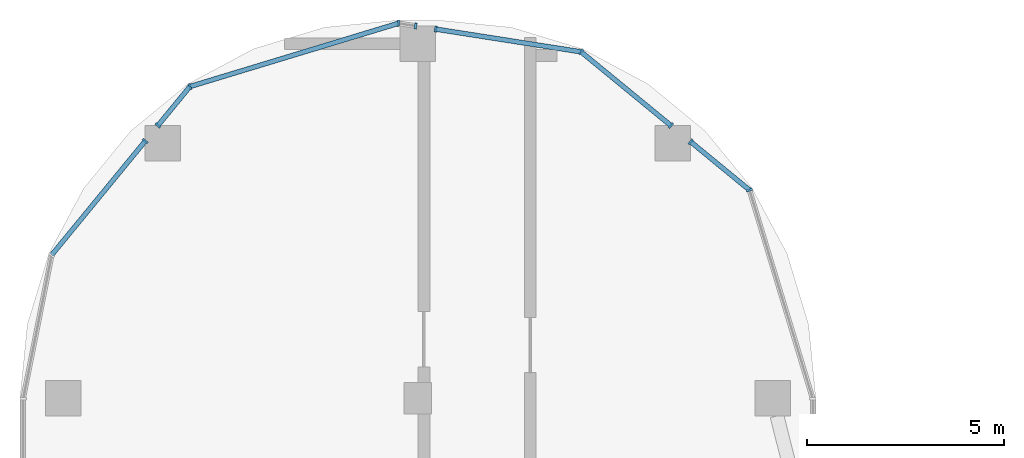
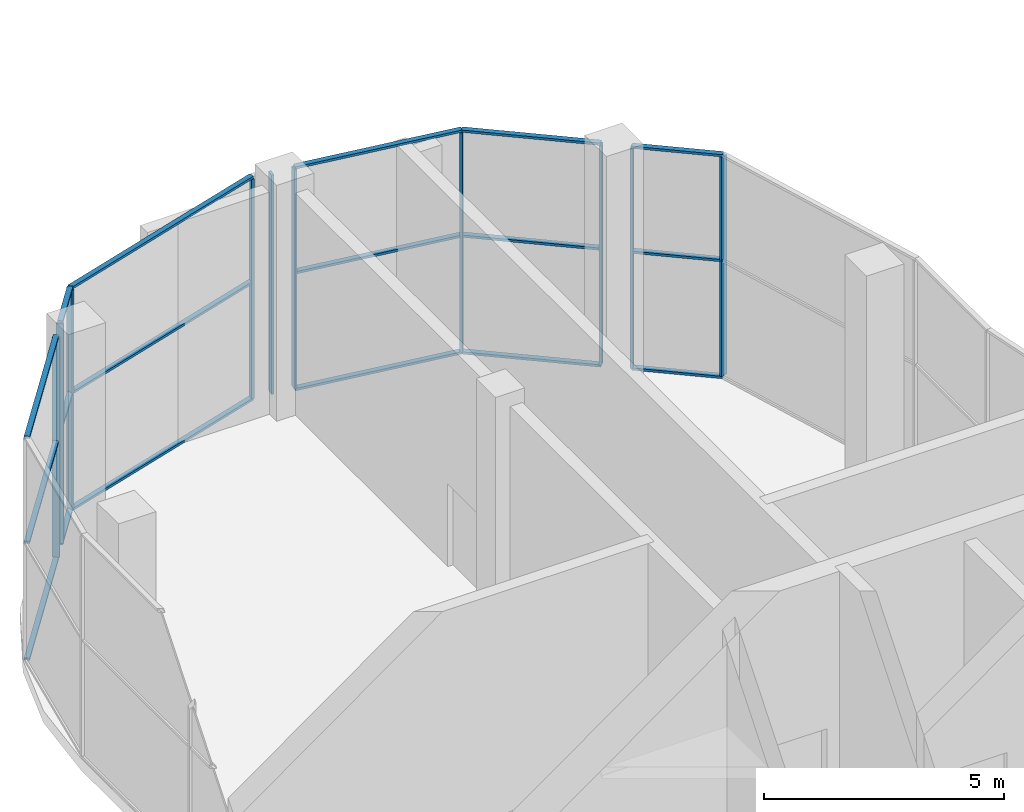
# One storey, part 9 of 21: 28 members, 4 elements without a shape of their own.
"""IFC4 building model written with IfcOpenShell, lengths in metres."""

from ifc_helpers import new_model, si_unit, direction, frame, origin, origin_2d, place, context, subcontext, project, spatial, rectangle, extrude, material, material_profile, profile_set, type_object, element, aggregate, save


model = new_model("IFC4")

# Units and contexts
model_context = context("Model", 3, precision=1e-05, world=origin(), true_north=direction((0.0, 1.0)))
body_context = subcontext(model_context, "Body", "Model", "MODEL_VIEW")
ifc_project = project(units=[si_unit("LENGTHUNIT", "METRE"), si_unit("AREAUNIT", "SQUARE_METRE"), si_unit("VOLUMEUNIT", "CUBIC_METRE"), si_unit("PLANEANGLEUNIT", "RADIAN"), si_unit("MASSUNIT", "GRAM", prefix="KILO")], contexts=[model_context])

# Site, building, storey
site_placement = place(None, origin())
site = spatial("IfcSite", under=ifc_project, at=site_placement, CompositionType="ELEMENT")
building_placement = place(site_placement, origin())
building = spatial("IfcBuilding", under=site, at=building_placement, Name="Ogive Portal Towers", CompositionType="ELEMENT")
storey_placement = place(building_placement, frame((0.0, 0.0, 266.89990234375)))
storey = spatial("IfcBuildingStorey", under=building, at=storey_placement, Name="L65", CompositionType="ELEMENT", Elevation=266.89990234375)

# Curtain wall, members
ifc_material_1 = material(Name="Glass, clear low-iron insulated glazing", Category="glass")
curtain_wall_type = type_object("IfcCurtainWallType", Name="CW OBSERVATION WALL", PredefinedType="NOTDEFINED", material=ifc_material_1)
curtain_wall_1_placement = place(storey_placement, origin())
curtain_wall_1 = element("IfcCurtainWall", 1, at=curtain_wall_1_placement, inside=storey, type_object=curtain_wall_type, Name="A:L65:f17:cwa~0", PredefinedType="NOTDEFINED")
ifc_material_2 = material(Name="Aluminium 6063 anodised", Category="aluminium")
ifc_material_profile_1 = material_profile(ifc_material_2, rectangle(XDim=0.159912109375, YDim=0.06005859375, at=origin_2d()), Name="AL 60x160")
ifc_profile_set_1 = profile_set([ifc_material_profile_1], Name="Aluminium 6063 anodised")
member_type_1 = type_object("IfcMemberType", Name="CW MULLION 60x160", PredefinedType="MULLION", material=ifc_profile_set_1)
member_1_placement = place(storey_placement, frame((48.91259765625, 53.787109375, 0.06005859375), z_axis=(0.0, 0.0, 1.0), x_axis=(-0.956940335732, -0.290284677254, 0.0)))
member_1 = element("IfcMember", 2, at=member_1_placement, type_object=member_type_1, Name="mullion", PredefinedType="MULLION", context=body_context, shape_type="SweptSolid", body=[
    extrude(rectangle(XDim=0.159912109375, YDim=0.06005859375, at=origin_2d()), origin(), (0.0, 0.0, 1.0), 5.580078125),
])
member_2_placement = place(storey_placement, frame((47.423095703125, 55.009521484375, 0.06005859375), z_axis=(0.0, 0.0, 1.0), x_axis=(-0.634393284164, -0.773010453363, 0.0)))
member_2 = element("IfcMember", 3, at=member_2_placement, type_object=member_type_1, Name="mullion", PredefinedType="MULLION", context=body_context, shape_type="SweptSolid", body=[
    extrude(rectangle(XDim=0.159912109375, YDim=0.06005859375, at=origin_2d()), origin(), (0.0, 0.0, 1.0), 5.580078125),
])

curtain_wall_2_placement = place(storey_placement, origin())
curtain_wall_2 = element("IfcCurtainWall", 4, at=curtain_wall_2_placement, inside=storey, type_object=curtain_wall_type, Name="A:L65:f17:cwa~1", PredefinedType="NOTDEFINED")
member_3_placement = place(storey_placement, frame((46.919189453125, 55.423095703125, 0.06005859375), z_axis=(0.0, 0.0, 1.0), x_axis=(-0.634393284164, -0.773010453363, 0.0)))
member_3 = element("IfcMember", 5, at=member_3_placement, type_object=member_type_1, Name="mullion", PredefinedType="MULLION", context=body_context, shape_type="SweptSolid", body=[
    extrude(rectangle(XDim=0.159912109375, YDim=0.06005859375, at=origin_2d()), origin(), (0.0, 0.0, 1.0), 5.580078125),
])
member_4_placement = place(storey_placement, frame((44.639892578125, 57.29345703125, 0.06005859375), z_axis=(0.0, 0.0, 1.0), x_axis=(-0.634393284164, -0.773010453363, 0.0)))
member_4 = element("IfcMember", 6, at=member_4_placement, type_object=member_type_1, Name="mullion", PredefinedType="MULLION", context=body_context, shape_type="SweptSolid", body=[
    extrude(rectangle(XDim=0.159912109375, YDim=0.06005859375, at=origin_2d()), origin(), (0.0, 0.0, 1.0), 5.580078125),
])
member_5_placement = place(storey_placement, frame((40.949951171875, 57.87060546875, 0.06005859375), z_axis=(0.0, 0.0, 1.0), x_axis=(-0.154476205908, -0.987996509006, 0.0)))
member_5 = element("IfcMember", 7, at=member_5_placement, type_object=member_type_1, Name="mullion", PredefinedType="MULLION", context=body_context, shape_type="SweptSolid", body=[
    extrude(rectangle(XDim=0.159912109375, YDim=0.06005859375, at=origin_2d()), origin(), (0.0, 0.0, 1.0), 5.580078125),
])

curtain_wall_3_placement = place(storey_placement, origin())
curtain_wall_3 = element("IfcCurtainWall", 8, at=curtain_wall_3_placement, inside=storey, type_object=curtain_wall_type, Name="A:L65:f17:cwa~2", PredefinedType="NOTDEFINED")
member_6_placement = place(storey_placement, frame((40.44140625, 57.949951171875, 0.06005859375), z_axis=(0.0, 0.0, 1.0), x_axis=(-0.154476205908, -0.987996509006, 0.0)))
member_6 = element("IfcMember", 9, at=member_6_placement, type_object=member_type_1, Name="mullion", PredefinedType="MULLION", context=body_context, shape_type="SweptSolid", body=[
    extrude(rectangle(XDim=0.159912109375, YDim=0.06005859375, at=origin_2d()), origin(), (0.0, 0.0, 1.0), 5.580078125),
])
member_7_placement = place(storey_placement, frame((40.005615234375, 58.01806640625, 0.06005859375), z_axis=(0.0, 0.0, 1.0), x_axis=(-0.154476205908, -0.987996509006, 0.0)))
member_7 = element("IfcMember", 10, at=member_7_placement, type_object=member_type_1, Name="mullion", PredefinedType="MULLION", context=body_context, shape_type="SweptSolid", body=[
    extrude(rectangle(XDim=0.159912109375, YDim=0.06005859375, at=origin_2d()), origin(), (0.0, 0.0, 1.0), 5.580078125),
])
member_8_placement = place(storey_placement, frame((34.712890625, 56.41259765625, 0.06005859375), z_axis=(0.0, 0.0, 1.0), x_axis=(0.290284677254, -0.956940335732, 0.0)))
member_8 = element("IfcMember", 11, at=member_8_placement, type_object=member_type_1, Name="mullion", PredefinedType="MULLION", context=body_context, shape_type="SweptSolid", body=[
    extrude(rectangle(XDim=0.159912109375, YDim=0.06005859375, at=origin_2d()), origin(), (0.0, 0.0, 1.0), 5.580078125),
])
member_9_placement = place(storey_placement, frame((33.90087890625, 55.423095703125, 0.06005859375), z_axis=(0.0, 0.0, 1.0), x_axis=(0.773010453363, -0.634393284164, 0.0)))
member_9 = element("IfcMember", 12, at=member_9_placement, type_object=member_type_1, Name="mullion", PredefinedType="MULLION", context=body_context, shape_type="SweptSolid", body=[
    extrude(rectangle(XDim=0.159912109375, YDim=0.06005859375, at=origin_2d()), origin(), (0.0, 0.0, 1.0), 5.580078125),
])

# Curtain wall, member
curtain_wall_4_placement = place(storey_placement, origin())
curtain_wall_4 = element("IfcCurtainWall", 13, at=curtain_wall_4_placement, inside=storey, type_object=curtain_wall_type, Name="A:L65:f17:cwa~3", PredefinedType="NOTDEFINED")
member_10_placement = place(storey_placement, frame((33.576904296875, 55.0283203125, 0.06005859375), z_axis=(0.0, 0.0, 1.0), x_axis=(0.773010453363, -0.634393284164, 0.0)))
member_10 = element("IfcMember", 14, at=member_10_placement, type_object=member_type_1, Name="mullion", PredefinedType="MULLION", context=body_context, shape_type="SweptSolid", body=[
    extrude(rectangle(XDim=0.159912109375, YDim=0.06005859375, at=origin_2d()), origin(), (0.0, 0.0, 1.0), 5.580078125),
])

# Member
ifc_material_profile_2 = material_profile(ifc_material_2, rectangle(XDim=0.1201171875, YDim=0.06005859375, at=origin_2d()), Name="AL 120x60")
ifc_profile_set_2 = profile_set([ifc_material_profile_2], Name="Aluminium 6063 anodised")
member_type_2 = type_object("IfcMemberType", Name="CW TRANSOM 60x120", PredefinedType="USERDEFINED", material=ifc_profile_set_2)
member_11_placement = place(storey_placement, frame((48.91259765625, 53.787109375, 0.030029296875), z_axis=(-0.773008048961, 0.634396213924, 0.0), x_axis=(-0.634396213924, -0.773008048961, 0.0)))
member_11 = element("IfcMember", 15, at=member_11_placement, type_object=member_type_2, Name="transom", ObjectType="TRANSOM", PredefinedType="USERDEFINED", context=body_context, shape_type="SweptSolid", body=[
    extrude(rectangle(XDim=0.1201171875, YDim=0.06005859375, at=origin_2d()), origin(), (0.0, 0.0, 1.0), 1.927001953125),
])

member_12_placement = place(storey_placement, frame((48.91259765625, 53.787109375, 3.0), z_axis=(-0.773008048961, 0.634396213924, 0.0), x_axis=(-0.634396213924, -0.773008048961, 0.0)))
member_12 = element("IfcMember", 16, at=member_12_placement, type_object=member_type_2, Name="transom", ObjectType="TRANSOM", PredefinedType="USERDEFINED", context=body_context, shape_type="SweptSolid", body=[
    extrude(rectangle(XDim=0.1201171875, YDim=0.06005859375, at=origin_2d()), origin(), (0.0, 0.0, 1.0), 1.927001953125),
])

member_13_placement = place(storey_placement, frame((48.91259765625, 53.787109375, 5.670166015625), z_axis=(-0.773008048961, 0.634396213924, 0.0), x_axis=(-0.634396213924, -0.773008048961, 0.0)))
member_13 = element("IfcMember", 17, at=member_13_placement, type_object=member_type_2, Name="transom", ObjectType="TRANSOM", PredefinedType="USERDEFINED", context=body_context, shape_type="SweptSolid", body=[
    extrude(rectangle(XDim=0.1201171875, YDim=0.06005859375, at=origin_2d()), origin(), (0.0, 0.0, 1.0), 1.927001953125),
])

aggregate(curtain_wall_1, [member_11, member_12, member_13, member_1, member_2])

member_14_placement = place(storey_placement, frame((46.919189453125, 55.423095703125, 0.030029296875), z_axis=(-0.773045259129, 0.634350870842, 0.0), x_axis=(-0.634350870842, -0.773045259129, 0.0)))
member_14 = element("IfcMember", 18, at=member_14_placement, type_object=member_type_2, Name="transom", ObjectType="TRANSOM", PredefinedType="USERDEFINED", context=body_context, shape_type="SweptSolid", body=[
    extrude(rectangle(XDim=0.1201171875, YDim=0.06005859375, at=origin_2d()), origin(), (0.0, 0.0, 1.0), 2.948486328125),
])

member_15_placement = place(storey_placement, frame((46.919189453125, 55.423095703125, 3.0), z_axis=(-0.773045259129, 0.634350870842, 0.0), x_axis=(-0.634350870842, -0.773045259129, 0.0)))
member_15 = element("IfcMember", 19, at=member_15_placement, type_object=member_type_2, Name="transom", ObjectType="TRANSOM", PredefinedType="USERDEFINED", context=body_context, shape_type="SweptSolid", body=[
    extrude(rectangle(XDim=0.1201171875, YDim=0.06005859375, at=origin_2d()), origin(), (0.0, 0.0, 1.0), 2.948486328125),
])

member_16_placement = place(storey_placement, frame((46.919189453125, 55.423095703125, 5.670166015625), z_axis=(-0.773045259129, 0.634350870842, 0.0), x_axis=(-0.634350870842, -0.773045259129, 0.0)))
member_16 = element("IfcMember", 20, at=member_16_placement, type_object=member_type_2, Name="transom", ObjectType="TRANSOM", PredefinedType="USERDEFINED", context=body_context, shape_type="SweptSolid", body=[
    extrude(rectangle(XDim=0.1201171875, YDim=0.06005859375, at=origin_2d()), origin(), (0.0, 0.0, 1.0), 2.948486328125),
])

member_17_placement = place(storey_placement, frame((44.639892578125, 57.29345703125, 0.030029296875), z_axis=(-0.987987718432, 0.154532418048, 0.0), x_axis=(-0.154532418048, -0.987987718432, 0.0)))
member_17 = element("IfcMember", 21, at=member_17_placement, type_object=member_type_2, Name="transom", ObjectType="TRANSOM", PredefinedType="USERDEFINED", context=body_context, shape_type="SweptSolid", body=[
    extrude(rectangle(XDim=0.1201171875, YDim=0.06005859375, at=origin_2d()), origin(), (0.0, 0.0, 1.0), 3.73486328125),
])

member_18_placement = place(storey_placement, frame((44.639892578125, 57.29345703125, 3.0), z_axis=(-0.987987718432, 0.154532418048, 0.0), x_axis=(-0.154532418048, -0.987987718432, 0.0)))
member_18 = element("IfcMember", 22, at=member_18_placement, type_object=member_type_2, Name="transom", ObjectType="TRANSOM", PredefinedType="USERDEFINED", context=body_context, shape_type="SweptSolid", body=[
    extrude(rectangle(XDim=0.1201171875, YDim=0.06005859375, at=origin_2d()), origin(), (0.0, 0.0, 1.0), 3.73486328125),
])

member_19_placement = place(storey_placement, frame((44.639892578125, 57.29345703125, 5.670166015625), z_axis=(-0.987987718432, 0.154532418048, 0.0), x_axis=(-0.154532418048, -0.987987718432, 0.0)))
member_19 = element("IfcMember", 23, at=member_19_placement, type_object=member_type_2, Name="transom", ObjectType="TRANSOM", PredefinedType="USERDEFINED", context=body_context, shape_type="SweptSolid", body=[
    extrude(rectangle(XDim=0.1201171875, YDim=0.06005859375, at=origin_2d()), origin(), (0.0, 0.0, 1.0), 3.73486328125),
])

aggregate(curtain_wall_2, [member_14, member_15, member_16, member_17, member_18, member_19, member_3, member_4, member_5])

member_20_placement = place(storey_placement, frame((40.005615234375, 58.01806640625, 0.030029296875), z_axis=(-0.956943434908, -0.290274460444, 0.0), x_axis=(0.290274460444, -0.956943434908, 0.0)))
member_20 = element("IfcMember", 24, at=member_20_placement, type_object=member_type_2, Name="transom", ObjectType="TRANSOM", PredefinedType="USERDEFINED", context=body_context, shape_type="SweptSolid", body=[
    extrude(rectangle(XDim=0.1201171875, YDim=0.06005859375, at=origin_2d()), origin(), (0.0, 0.0, 1.0), 5.53076171875),
])

member_21_placement = place(storey_placement, frame((40.005615234375, 58.01806640625, 3.0), z_axis=(-0.956943434908, -0.290274460444, 0.0), x_axis=(0.290274460444, -0.956943434908, 0.0)))
member_21 = element("IfcMember", 25, at=member_21_placement, type_object=member_type_2, Name="transom", ObjectType="TRANSOM", PredefinedType="USERDEFINED", context=body_context, shape_type="SweptSolid", body=[
    extrude(rectangle(XDim=0.1201171875, YDim=0.06005859375, at=origin_2d()), origin(), (0.0, 0.0, 1.0), 5.53076171875),
])

member_22_placement = place(storey_placement, frame((40.005615234375, 58.01806640625, 5.670166015625), z_axis=(-0.956943434908, -0.290274460444, 0.0), x_axis=(0.290274460444, -0.956943434908, 0.0)))
member_22 = element("IfcMember", 26, at=member_22_placement, type_object=member_type_2, Name="transom", ObjectType="TRANSOM", PredefinedType="USERDEFINED", context=body_context, shape_type="SweptSolid", body=[
    extrude(rectangle(XDim=0.1201171875, YDim=0.06005859375, at=origin_2d()), origin(), (0.0, 0.0, 1.0), 5.53076171875),
])

member_23_placement = place(storey_placement, frame((34.712890625, 56.41259765625, 0.030029296875), z_axis=(-0.634369220316, -0.773030201425, 0.0), x_axis=(0.773030201425, -0.634369220316, 0.0)))
member_23 = element("IfcMember", 27, at=member_23_placement, type_object=member_type_2, Name="transom", ObjectType="TRANSOM", PredefinedType="USERDEFINED", context=body_context, shape_type="SweptSolid", body=[
    extrude(rectangle(XDim=0.1201171875, YDim=0.06005859375, at=origin_2d()), origin(), (0.0, 0.0, 1.0), 1.280029296875),
])

member_24_placement = place(storey_placement, frame((34.712890625, 56.41259765625, 3.0), z_axis=(-0.634369220316, -0.773030201425, 0.0), x_axis=(0.773030201425, -0.634369220316, 0.0)))
member_24 = element("IfcMember", 28, at=member_24_placement, type_object=member_type_2, Name="transom", ObjectType="TRANSOM", PredefinedType="USERDEFINED", context=body_context, shape_type="SweptSolid", body=[
    extrude(rectangle(XDim=0.1201171875, YDim=0.06005859375, at=origin_2d()), origin(), (0.0, 0.0, 1.0), 1.280029296875),
])

member_25_placement = place(storey_placement, frame((34.712890625, 56.41259765625, 5.670166015625), z_axis=(-0.634369220316, -0.773030201425, 0.0), x_axis=(0.773030201425, -0.634369220316, 0.0)))
member_25 = element("IfcMember", 29, at=member_25_placement, type_object=member_type_2, Name="transom", ObjectType="TRANSOM", PredefinedType="USERDEFINED", context=body_context, shape_type="SweptSolid", body=[
    extrude(rectangle(XDim=0.1201171875, YDim=0.06005859375, at=origin_2d()), origin(), (0.0, 0.0, 1.0), 1.280029296875),
])

aggregate(curtain_wall_3, [member_20, member_21, member_22, member_23, member_24, member_25, member_6, member_7, member_8, member_9])

member_26_placement = place(storey_placement, frame((33.576904296875, 55.0283203125, 0.030029296875), z_axis=(-0.634378656376, -0.773022457846, 0.0), x_axis=(0.773022457846, -0.634378656376, 0.0)))
member_26 = element("IfcMember", 30, at=member_26_placement, type_object=member_type_2, Name="transom", ObjectType="TRANSOM", PredefinedType="USERDEFINED", context=body_context, shape_type="SweptSolid", body=[
    extrude(rectangle(XDim=0.1201171875, YDim=0.06005859375, at=origin_2d()), origin(), (0.0, 0.0, 1.0), 3.738525390625),
])

member_27_placement = place(storey_placement, frame((33.576904296875, 55.0283203125, 3.0), z_axis=(-0.634378656376, -0.773022457846, 0.0), x_axis=(0.773022457846, -0.634378656376, 0.0)))
member_27 = element("IfcMember", 31, at=member_27_placement, type_object=member_type_2, Name="transom", ObjectType="TRANSOM", PredefinedType="USERDEFINED", context=body_context, shape_type="SweptSolid", body=[
    extrude(rectangle(XDim=0.1201171875, YDim=0.06005859375, at=origin_2d()), origin(), (0.0, 0.0, 1.0), 3.738525390625),
])

member_28_placement = place(storey_placement, frame((33.576904296875, 55.0283203125, 5.670166015625), z_axis=(-0.634378656376, -0.773022457846, 0.0), x_axis=(0.773022457846, -0.634378656376, 0.0)))
member_28 = element("IfcMember", 32, at=member_28_placement, type_object=member_type_2, Name="transom", ObjectType="TRANSOM", PredefinedType="USERDEFINED", context=body_context, shape_type="SweptSolid", body=[
    extrude(rectangle(XDim=0.1201171875, YDim=0.06005859375, at=origin_2d()), origin(), (0.0, 0.0, 1.0), 3.738525390625),
])

aggregate(curtain_wall_4, [member_26, member_27, member_28, member_10])

save(model, "model.ifc")
